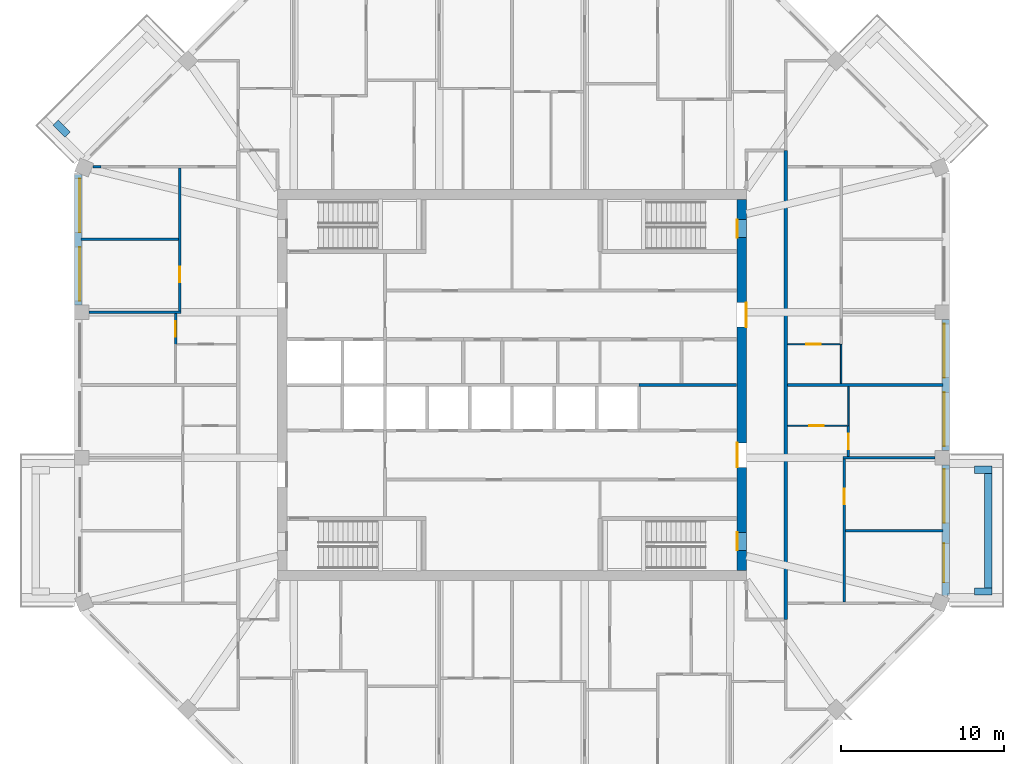
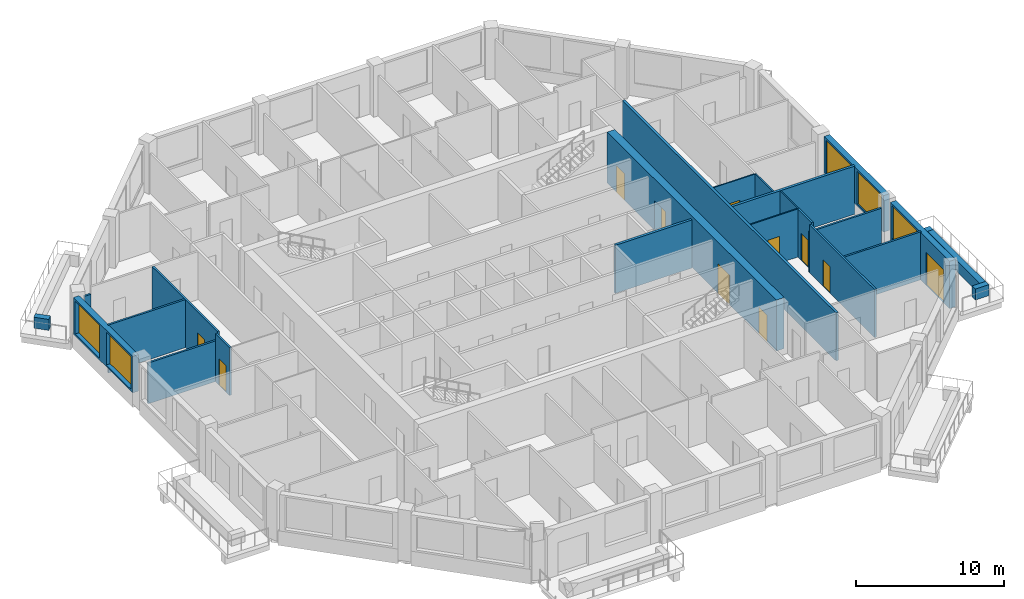
# One storey, part 6 of 11: 24 walls, 11 doors, 5 windows, 16 openings.
"""IFC4 building model written with IfcOpenShell, lengths in metres."""

from ifc_helpers import new_model, si_unit, direction, frame, frame_2d, origin, place, context, subcontext, project, spatial, rectangle, extrude, material, layer, layer_set, type_object, element, fill, save


model = new_model("IFC4")

# Units and contexts
model_context = context("Model", 3, precision=1e-05, world=origin(), true_north=direction((0.0, 1.0)))
body_context = subcontext(model_context, "Body", "Model", "MODEL_VIEW")
ifc_project = project(units=[si_unit("LENGTHUNIT", "METRE"), si_unit("AREAUNIT", "SQUARE_METRE"), si_unit("VOLUMEUNIT", "CUBIC_METRE"), si_unit("PLANEANGLEUNIT", "RADIAN"), si_unit("MASSUNIT", "GRAM", prefix="KILO")], contexts=[model_context])

# Site, building, storey
site_placement = place(None, origin())
site = spatial("IfcSite", under=ifc_project, at=site_placement, CompositionType="ELEMENT")
building_placement = place(site_placement, origin())
building = spatial("IfcBuilding", under=site, at=building_placement, Name="Msitu Wima Residences", CompositionType="ELEMENT")
storey_placement = place(building_placement, frame((0.0, 0.0, 230.699951171875)))
storey = spatial("IfcBuildingStorey", under=building, at=storey_placement, Name="L53", CompositionType="ELEMENT", Elevation=230.699951171875)

# Walls
ifc_material_1 = material(Name="Facing brick")
ifc_layer_1 = layer(ifc_material_1, 0.06494140625, Name="Facing brick")
ifc_material_2 = material(Name="Concrete C40/50", Category="concrete")
ifc_layer_2 = layer(ifc_material_2, 0.156005859375, Name="Concrete C40/50")
ifc_material_3 = material(Name="Waterproofing membrane")
ifc_layer_3 = layer(ifc_material_3, 0.00390625, Name="Waterproofing membrane")
ifc_material_4 = material(Name="Planting soil and planting")
ifc_layer_4 = layer(ifc_material_4, 0.22509765625, Name="Planting soil and planting")
ifc_layer_set_1 = layer_set([ifc_layer_1, ifc_layer_2, ifc_layer_3, ifc_layer_4], Name="Concrete C40/50")
wall_type_1 = type_object("IfcWallType", Name="Balcony planter PLANTER PL450", PredefinedType="USERDEFINED", material=ifc_layer_set_1)
wall_1_placement = place(storey_placement, frame((29.22509765625, -12.455810546875, 0.0), z_axis=(0.0, 0.0, 1.0), x_axis=(0.0, 1.0, 0.0)))
element("IfcWall", 1, at=wall_1_placement, inside=storey, type_object=wall_type_1, Name="Balcony planter E0 L53", ObjectType="PLANTER", PredefinedType="USERDEFINED", context=body_context, shape_type="SweptSolid", body=[
    extrude(rectangle(XDim=7.037109375, YDim=0.449951171875, at=frame_2d((3.5185546875, 0.0))), origin(), (0.0, 0.0, 1.0), 0.900146484375),
])
for number, where, z_axis, x_axis, name in (
    (2, (28.39990234375, -12.680908203125, 0.0), (0.0, 0.0, 1.0), (1.0, 0.0, 0.0), "Balcony planter E0 L53"),
    (3, (28.39990234375, -5.193603515625, 0.0), (0.0, 0.0, 1.0), (1.0, 0.0, 0.0), "Balcony planter E0 L53"),
    (4, (-27.26611328125, 15.3681640625, 0.0), (0.0, 0.0, 1.0), (-0.707223014731, 0.706990528533, 0.0), "Balcony planter NW1 L53"),
):
    element("IfcWall", number, at=place(storey_placement, frame(where, z_axis=z_axis, x_axis=x_axis)), inside=storey, type_object=wall_type_1, Name=name, ObjectType="PLANTER", PredefinedType="USERDEFINED", context=body_context, shape_type="SweptSolid", body=[
        extrude(rectangle(XDim=1.050048828125, YDim=0.449951171875, at=frame_2d((0.52490234375, 0.0))), origin(), (0.0, 0.0, 1.0), 0.900146484375),
    ])

# Wall, openings, door, window
ifc_material_5 = material(Name="Brick (red buff mix)", Category="masonry")
ifc_layer_5 = layer(ifc_material_5, 0.449951171875)
ifc_layer_set_2 = layer_set([ifc_layer_5], Name="Brick (red buff mix)")
wall_type_2 = type_object("IfcWallType", Name="Brick infill wall BW450", PredefinedType="SOLIDWALL", material=ifc_layer_set_2)
wall_2_placement = place(storey_placement, frame((26.625, -12.918701171875, 0.0), z_axis=(0.0, 0.0, 1.0), x_axis=(0.0, 1.0, 0.0)))
wall_2 = element("IfcWall", 5, at=wall_2_placement, inside=storey, type_object=wall_type_2, Name="Brick infill wall L53 E0", PredefinedType="SOLIDWALL", context=body_context, shape_type="SweptSolid", body=[
    extrude(rectangle(XDim=8.0, YDim=0.449951171875, at=frame_2d((4.0, 0.0))), origin(), (0.0, 0.0, 1.0), 3.900146484375),
])
opening_1_placement = place(wall_2_placement, frame((0.800048828125, 0.0, 0.0)))
opening_1 = element("IfcOpeningElement", 6, at=opening_1_placement, cuts=wall_2, Name="Opening D52-54.001", PredefinedType="OPENING", context=body_context, shape_type="SweptSolid", body=[
    extrude(rectangle(XDim=2.39990234375, YDim=2.699951171875, at=frame_2d((1.199951171875, 1.35009765625))), frame((0.0, 0.23486328125, 0.0), z_axis=(0.0, -1.0, 0.0), x_axis=(1.0, 0.0, 0.0)), (0.0, 0.0, 1.0), 0.469970703125),
])
opening_2_placement = place(wall_2_placement, frame((4.4501953125, 0.0, 1.050048828125)))
opening_2 = element("IfcOpeningElement", 7, at=opening_2_placement, cuts=wall_2, Name="Opening W52-54.001", PredefinedType="OPENING", context=body_context, shape_type="SweptSolid", body=[
    extrude(rectangle(XDim=3.300048828125, YDim=2.699951171875, at=frame_2d((1.64990234375, 1.35009765625))), frame((0.0, 0.23486328125, 0.0), z_axis=(0.0, -1.0, 0.0), x_axis=(1.0, 0.0, 0.0)), (0.0, 0.0, 1.0), 0.469970703125),
])
ifc_material_6 = material(Name="Anodised aluminium, bronze finish, clear low-emissivity double glazing", Category="aluminium")
door_type_1 = type_object("IfcDoorType", Name="Balcony door D2400x2700", OperationType="SLIDING_TO_LEFT", PredefinedType="DOOR", material=ifc_material_6)
door_1_placement = place(opening_1_placement, origin())
door_1 = element("IfcDoor", 8, at=door_1_placement, inside=storey, type_object=door_type_1, Name="Balcony door L53 E0", OperationType="SINGLE_SWING_LEFT", OverallHeight=2.699951171875, OverallWidth=2.39990234375, PredefinedType="DOOR", context=body_context, shape_type="SweptSolid", body=[
    extrude(rectangle(XDim=2.39990234375, YDim=2.699951171875, at=frame_2d((1.199951171875, 1.35009765625))), frame((0.0, 0.1298828125, 0.0), z_axis=(0.0, -1.0, 0.0), x_axis=(1.0, 0.0, 0.0)), (0.0, 0.0, 1.0), 0.050048828125),
])
fill(opening_1, door_1)
window_type = type_object("IfcWindowType", Name="Window W3300x2700", PartitioningType="DOUBLE_PANEL_VERTICAL", PredefinedType="WINDOW", material=ifc_material_6)
window_1_placement = place(opening_2_placement, origin())
window_1 = element("IfcWindow", 9, at=window_1_placement, inside=storey, type_object=window_type, Name="Window L53 E0.2", OverallHeight=2.699951171875, OverallWidth=3.300048828125, PartitioningType="SINGLE_PANEL", PredefinedType="WINDOW", context=body_context, shape_type="SweptSolid", body=[
    extrude(rectangle(XDim=3.300048828125, YDim=2.699951171875, at=frame_2d((1.64990234375, 1.35009765625))), frame((0.0, 0.135009765625, 0.0), z_axis=(0.0, -1.0, 0.0), x_axis=(1.0, 0.0, 0.0)), (0.0, 0.0, 1.0), 0.06005859375),
])
fill(opening_2, window_1)

# Wall, openings, windows
wall_3_placement = place(storey_placement, frame((26.625, -4.0185546875, 0.900146484375), z_axis=(0.0, 0.0, 1.0), x_axis=(0.0, 1.0, 0.0)))
wall_3 = element("IfcWall", 10, at=wall_3_placement, inside=storey, type_object=wall_type_2, Name="Brick infill wall L53 E1", PredefinedType="SOLIDWALL", context=body_context, shape_type="SweptSolid", body=[
    extrude(rectangle(XDim=8.037109375, YDim=0.449951171875, at=frame_2d((4.0185546875, 0.0))), origin(), (0.0, 0.0, 1.0), 3.0),
])
opening_3_placement = place(wall_3_placement, frame((0.2685546875, 0.0, 0.14990234375)))
opening_3 = element("IfcOpeningElement", 11, at=opening_3_placement, cuts=wall_3, Name="Opening W52-54.002", PredefinedType="OPENING", context=body_context, shape_type="SweptSolid", body=[
    extrude(rectangle(XDim=3.300048828125, YDim=2.699951171875, at=frame_2d((1.64990234375, 1.35009765625))), frame((0.0, 0.23486328125, 0.0), z_axis=(0.0, -1.0, 0.0), x_axis=(1.0, 0.0, 0.0)), (0.0, 0.0, 1.0), 0.469970703125),
])
opening_4_placement = place(wall_3_placement, frame((4.46875, 0.0, 0.14990234375)))
opening_4 = element("IfcOpeningElement", 12, at=opening_4_placement, cuts=wall_3, Name="Opening W52-54.003", PredefinedType="OPENING", context=body_context, shape_type="SweptSolid", body=[
    extrude(rectangle(XDim=3.300048828125, YDim=2.699951171875, at=frame_2d((1.64990234375, 1.35009765625))), frame((0.0, 0.23486328125, 0.0), z_axis=(0.0, -1.0, 0.0), x_axis=(1.0, 0.0, 0.0)), (0.0, 0.0, 1.0), 0.469970703125),
])
window_2_placement = place(opening_3_placement, origin())
window_2 = element("IfcWindow", 13, at=window_2_placement, inside=storey, type_object=window_type, Name="Window L53 E1.1", OverallHeight=2.699951171875, OverallWidth=3.300048828125, PartitioningType="SINGLE_PANEL", PredefinedType="WINDOW", context=body_context, shape_type="SweptSolid", body=[
    extrude(rectangle(XDim=3.300048828125, YDim=2.699951171875, at=frame_2d((1.64990234375, 1.35009765625))), frame((0.0, 0.135009765625, 0.0), z_axis=(0.0, -1.0, 0.0), x_axis=(1.0, 0.0, 0.0)), (0.0, 0.0, 1.0), 0.06005859375),
])
fill(opening_3, window_2)
window_3_placement = place(opening_4_placement, origin())
window_3 = element("IfcWindow", 14, at=window_3_placement, inside=storey, type_object=window_type, Name="Window L53 E1.2", OverallHeight=2.699951171875, OverallWidth=3.300048828125, PartitioningType="SINGLE_PANEL", PredefinedType="WINDOW", context=body_context, shape_type="SweptSolid", body=[
    extrude(rectangle(XDim=3.300048828125, YDim=2.699951171875, at=frame_2d((1.64990234375, 1.35009765625))), frame((0.0, 0.135009765625, 0.0), z_axis=(0.0, -1.0, 0.0), x_axis=(1.0, 0.0, 0.0)), (0.0, 0.0, 1.0), 0.06005859375),
])
fill(opening_4, window_3)

wall_4_placement = place(storey_placement, frame((-26.625, 12.918701171875, 0.900146484375), z_axis=(0.0, 0.0, 1.0), x_axis=(0.0, -1.0, 0.0)))
wall_4 = element("IfcWall", 15, at=wall_4_placement, inside=storey, type_object=wall_type_2, Name="Brick infill wall L53 W0", PredefinedType="SOLIDWALL", context=body_context, shape_type="SweptSolid", body=[
    extrude(rectangle(XDim=8.0, YDim=0.449951171875, at=frame_2d((4.0, 0.0))), origin(), (0.0, 0.0, 1.0), 3.0),
])
opening_5_placement = place(wall_4_placement, frame((0.25, 0.0, 0.14990234375)))
opening_5 = element("IfcOpeningElement", 16, at=opening_5_placement, cuts=wall_4, Name="Opening W52-54.029", PredefinedType="OPENING", context=body_context, shape_type="SweptSolid", body=[
    extrude(rectangle(XDim=3.300048828125, YDim=2.699951171875, at=frame_2d((1.64990234375, 1.35009765625))), frame((0.0, 0.23486328125, 0.0), z_axis=(0.0, -1.0, 0.0), x_axis=(1.0, 0.0, 0.0)), (0.0, 0.0, 1.0), 0.469970703125),
])
opening_6_placement = place(wall_4_placement, frame((4.4501953125, 0.0, 0.14990234375)))
opening_6 = element("IfcOpeningElement", 17, at=opening_6_placement, cuts=wall_4, Name="Opening W52-54.030", PredefinedType="OPENING", context=body_context, shape_type="SweptSolid", body=[
    extrude(rectangle(XDim=3.300048828125, YDim=2.699951171875, at=frame_2d((1.64990234375, 1.35009765625))), frame((0.0, 0.23486328125, 0.0), z_axis=(0.0, -1.0, 0.0), x_axis=(1.0, 0.0, 0.0)), (0.0, 0.0, 1.0), 0.469970703125),
])
window_4_placement = place(opening_5_placement, origin())
window_4 = element("IfcWindow", 18, at=window_4_placement, inside=storey, type_object=window_type, Name="Window L53 W0.1", OverallHeight=2.699951171875, OverallWidth=3.300048828125, PartitioningType="SINGLE_PANEL", PredefinedType="WINDOW", context=body_context, shape_type="SweptSolid", body=[
    extrude(rectangle(XDim=3.300048828125, YDim=2.699951171875, at=frame_2d((1.64990234375, 1.35009765625))), frame((0.0, 0.135009765625, 0.0), z_axis=(0.0, -1.0, 0.0), x_axis=(1.0, 0.0, 0.0)), (0.0, 0.0, 1.0), 0.06005859375),
])
fill(opening_5, window_4)
window_5_placement = place(opening_6_placement, origin())
window_5 = element("IfcWindow", 19, at=window_5_placement, inside=storey, type_object=window_type, Name="Window L53 W0.2", OverallHeight=2.699951171875, OverallWidth=3.300048828125, PartitioningType="SINGLE_PANEL", PredefinedType="WINDOW", context=body_context, shape_type="SweptSolid", body=[
    extrude(rectangle(XDim=3.300048828125, YDim=2.699951171875, at=frame_2d((1.64990234375, 1.35009765625))), frame((0.0, 0.135009765625, 0.0), z_axis=(0.0, -1.0, 0.0), x_axis=(1.0, 0.0, 0.0)), (0.0, 0.0, 1.0), 0.06005859375),
])
fill(opening_6, window_5)

# Wall, openings, doors
ifc_material_7 = material(Name="Concrete C50/60", Category="concrete")
ifc_layer_6 = layer(ifc_material_7, 0.60009765625)
ifc_layer_set_3 = layer_set([ifc_layer_6], Name="Concrete C50/60")
wall_type_3 = type_object("IfcWallType", Name="Core wall CW600 C50/60", PredefinedType="SHEAR", material=ifc_layer_set_3)
wall_5_placement = place(storey_placement, frame((14.10009765625, -11.39990234375, 0.0), z_axis=(0.0, 0.0, 1.0), x_axis=(0.0, 1.0, 0.0)))
wall_5 = element("IfcWall", 20, at=wall_5_placement, inside=storey, type_object=wall_type_3, Name="Core wall", PredefinedType="SHEAR", context=body_context, shape_type="SweptSolid", body=[
    extrude(rectangle(XDim=22.7998046875, YDim=0.60009765625, at=frame_2d((11.39990234375, 0.0))), origin(), (0.0, 0.0, 1.0), 4.199951171875),
])
opening_7_placement = place(wall_5_placement, frame((20.449951171875, 0.0, 0.0)))
opening_7 = element("IfcOpeningElement", 21, at=opening_7_placement, cuts=wall_5, Name="Opening D52-54.089", PredefinedType="OPENING", context=body_context, shape_type="SweptSolid", body=[
    extrude(rectangle(XDim=1.10009765625, YDim=2.199951171875, at=frame_2d((0.550048828125, 1.10009765625))), frame((0.0, 0.31005859375, 0.0), z_axis=(0.0, -1.0, 0.0), x_axis=(1.0, 0.0, 0.0)), (0.0, 0.0, 1.0), 0.6201171875),
])
opening_8_placement = place(wall_5_placement, frame((1.25, 0.0, 0.0)))
opening_8 = element("IfcOpeningElement", 22, at=opening_8_placement, cuts=wall_5, Name="Opening D52-54.090", PredefinedType="OPENING", context=body_context, shape_type="SweptSolid", body=[
    extrude(rectangle(XDim=1.10009765625, YDim=2.199951171875, at=frame_2d((0.550048828125, 1.10009765625))), frame((0.0, 0.31005859375, 0.0), z_axis=(0.0, -1.0, 0.0), x_axis=(1.0, 0.0, 0.0)), (0.0, 0.0, 1.0), 0.6201171875),
])
opening_9_placement = place(wall_5_placement, frame((14.949951171875, 0.0, 0.0)))
opening_9 = element("IfcOpeningElement", 23, at=opening_9_placement, cuts=wall_5, Name="Opening D52-54.076", PredefinedType="OPENING", context=body_context, shape_type="SweptSolid", body=[
    extrude(rectangle(XDim=1.5, YDim=2.39990234375, at=frame_2d((0.75, 1.199951171875))), frame((0.0, 0.31005859375, 0.0), z_axis=(0.0, -1.0, 0.0), x_axis=(1.0, 0.0, 0.0)), (0.0, 0.0, 1.0), 0.6201171875),
])
opening_10_placement = place(wall_5_placement, frame((6.35009765625, 0.0, 0.0)))
opening_10 = element("IfcOpeningElement", 24, at=opening_10_placement, cuts=wall_5, Name="Opening D52-54.077", PredefinedType="OPENING", context=body_context, shape_type="SweptSolid", body=[
    extrude(rectangle(XDim=1.5, YDim=2.39990234375, at=frame_2d((0.75, 1.199951171875))), frame((0.0, 0.31005859375, 0.0), z_axis=(0.0, -1.0, 0.0), x_axis=(1.0, 0.0, 0.0)), (0.0, 0.0, 1.0), 0.6201171875),
])
ifc_material_8 = material(Name="Steel framed glazed door, fire resisting", Category="steel")
door_type_2 = type_object("IfcDoorType", Name="Lobby door D07 1500x2400", OperationType="DOUBLE_DOOR_SINGLE_SWING", PredefinedType="DOOR", material=ifc_material_8)
door_2_placement = place(opening_9_placement, origin())
door_2 = element("IfcDoor", 25, at=door_2_placement, inside=storey, type_object=door_type_2, Name="Lobby door", OperationType="DOUBLE_DOOR_SINGLE_SWING", OverallHeight=2.39990234375, OverallWidth=1.5, PredefinedType="DOOR", context=body_context, shape_type="SweptSolid", body=[
    extrude(rectangle(XDim=1.5, YDim=2.39990234375, at=frame_2d((0.75, 1.199951171875))), frame((0.0, -0.2451171875, 0.0), z_axis=(0.0, -1.0, 0.0), x_axis=(1.0, 0.0, 0.0)), (0.0, 0.0, 1.0), 0.050048828125),
])
fill(opening_9, door_2)
door_3_placement = place(opening_10_placement, origin())
door_3 = element("IfcDoor", 26, at=door_3_placement, inside=storey, type_object=door_type_2, Name="Lobby door", OperationType="DOUBLE_DOOR_SINGLE_SWING", OverallHeight=2.39990234375, OverallWidth=1.5, PredefinedType="DOOR", context=body_context, shape_type="SweptSolid", body=[
    extrude(rectangle(XDim=1.5, YDim=2.39990234375, at=frame_2d((0.75, 1.199951171875))), frame((0.0, 0.294921875, 0.0), z_axis=(0.0, -1.0, 0.0), x_axis=(1.0, 0.0, 0.0)), (0.0, 0.0, 1.0), 0.050048828125),
])
fill(opening_10, door_3)
ifc_material_9 = material(Name="Steel door, fire resisting, panic bar", Category="steel")
door_type_3 = type_object("IfcDoorType", Name="Stair door D06 1100x2200", OperationType="SINGLE_SWING_LEFT", PredefinedType="DOOR", material=ifc_material_9)
door_4_placement = place(opening_7_placement, origin())
door_4 = element("IfcDoor", 27, at=door_4_placement, inside=storey, type_object=door_type_3, Name="Stair door", OperationType="SINGLE_SWING_LEFT", OverallHeight=2.199951171875, OverallWidth=1.10009765625, PredefinedType="DOOR", context=body_context, shape_type="SweptSolid", body=[
    extrude(rectangle(XDim=1.10009765625, YDim=2.199951171875, at=frame_2d((0.550048828125, 1.10009765625))), frame((0.0, 0.294921875, 0.0), z_axis=(0.0, -1.0, 0.0), x_axis=(1.0, 0.0, 0.0)), (0.0, 0.0, 1.0), 0.050048828125),
])
fill(opening_7, door_4)
door_5_placement = place(opening_8_placement, origin())
door_5 = element("IfcDoor", 28, at=door_5_placement, inside=storey, type_object=door_type_3, Name="Stair door", OperationType="SINGLE_SWING_RIGHT", OverallHeight=2.199951171875, OverallWidth=1.10009765625, PredefinedType="DOOR", context=body_context, shape_type="SweptSolid", body=[
    extrude(rectangle(XDim=1.10009765625, YDim=2.199951171875, at=frame_2d((0.550048828125, 1.10009765625))), frame((0.0, 0.294921875, 0.0), z_axis=(0.0, -1.0, 0.0), x_axis=(1.0, 0.0, 0.0)), (0.0, 0.0, 1.0), 0.050048828125),
])
fill(opening_8, door_5)

# Walls
ifc_material_10 = material(Name="Plaster")
ifc_layer_7 = layer(ifc_material_10, 0.011962890625, Name="Plaster")
ifc_material_11 = material(Name="Concrete blockwork", Category="masonry")
ifc_layer_8 = layer(ifc_material_11, 0.176025390625, Name="Concrete blockwork")
ifc_layer_9 = layer(ifc_material_10, 0.011962890625, Name="Plaster")
ifc_layer_set_4 = layer_set([ifc_layer_7, ifc_layer_8, ifc_layer_9], Name="Concrete blockwork")
wall_type_4 = type_object("IfcWallType", Name="Corridor wall FW200", PredefinedType="PARTITIONING", material=ifc_layer_set_4)
wall_6_placement = place(storey_placement, frame((16.800048828125, -14.39990234375, 0.0), z_axis=(0.0, 0.0, 1.0), x_axis=(0.0, 1.0, 0.0)))
element("IfcWall", 29, at=wall_6_placement, inside=storey, type_object=wall_type_4, Name="Corridor wall", PredefinedType="PARTITIONING", context=body_context, shape_type="SweptSolid", body=[
    extrude(rectangle(XDim=28.7998046875, YDim=0.199951171875, at=frame_2d((14.39990234375, 0.0))), origin(), (0.0, 0.0, 1.0), 3.949951171875),
])
ifc_layer_10 = layer(ifc_material_10, 0.011962890625, Name="Plaster")
ifc_layer_11 = layer(ifc_material_11, 0.1259765625, Name="Concrete blockwork")
ifc_layer_12 = layer(ifc_material_10, 0.011962890625, Name="Plaster")
ifc_layer_set_5 = layer_set([ifc_layer_10, ifc_layer_11, ifc_layer_12], Name="Concrete blockwork")
wall_type_5 = type_object("IfcWallType", Name="Partition PW150", PredefinedType="PARTITIONING", material=ifc_layer_set_5)
wall_7_placement = place(storey_placement, frame((-25.949951171875, 4.46875, 0.0), z_axis=(0.0, 0.0, 1.0), x_axis=(1.0, 0.0, 0.0)))
element("IfcWall", 30, at=wall_7_placement, inside=storey, type_object=wall_type_5, Name="Partition", PredefinedType="PARTITIONING", context=body_context, shape_type="SweptSolid", body=[
    extrude(rectangle(XDim=5.625, YDim=0.14990234375, at=frame_2d((2.8125, 0.0))), origin(), (0.0, 0.0, 1.0), 3.35009765625),
])
wall_8_placement = place(storey_placement, frame((-26.455078125, 8.937255859375, 0.0), z_axis=(0.0, 0.0, 1.0), x_axis=(1.0, 0.0, 0.0)))
element("IfcWall", 31, at=wall_8_placement, inside=storey, type_object=wall_type_5, Name="Partition", PredefinedType="PARTITIONING", context=body_context, shape_type="SweptSolid", body=[
    extrude(rectangle(XDim=5.97998046875, YDim=0.14990234375, at=frame_2d((2.989990234375, 0.0))), origin(), (0.0, 0.0, 1.0), 3.949951171875),
])
wall_9_placement = place(storey_placement, frame((-25.731201171875, 13.406005859375, 0.0), z_axis=(0.0, 0.0, 1.0), x_axis=(1.0, 0.0, 0.0)))
element("IfcWall", 32, at=wall_9_placement, inside=storey, type_object=wall_type_5, Name="Partition", PredefinedType="PARTITIONING", context=body_context, shape_type="SweptSolid", body=[
    extrude(rectangle(XDim=0.507080078125, YDim=0.14990234375, at=frame_2d((0.25341796875, 0.0))), origin(), (0.0, 0.0, 1.0), 3.35009765625),
])

# Wall, opening, door
wall_10_placement = place(storey_placement, frame((-20.64990234375, 2.5, 0.0), z_axis=(0.0, 0.0, 1.0), x_axis=(0.0, 1.0, 0.0)))
wall_10 = element("IfcWall", 33, at=wall_10_placement, inside=storey, type_object=wall_type_5, Name="Partition", PredefinedType="PARTITIONING", context=body_context, shape_type="SweptSolid", body=[
    extrude(rectangle(XDim=1.8935546875, YDim=0.14990234375, at=frame_2d((0.94677734375, 0.0))), origin(), (0.0, 0.0, 1.0), 3.949951171875),
])
opening_11_placement = place(wall_10_placement, frame((0.449951171875, 0.0, 0.0)))
opening_11 = element("IfcOpeningElement", 34, at=opening_11_placement, cuts=wall_10, Name="Opening D52-54.035", PredefinedType="OPENING", context=body_context, shape_type="SweptSolid", body=[
    extrude(rectangle(XDim=0.949951171875, YDim=2.199951171875, at=frame_2d((0.47509765625, 1.10009765625))), frame((0.0, 0.0849609375, 0.0), z_axis=(0.0, -1.0, 0.0), x_axis=(1.0, 0.0, 0.0)), (0.0, 0.0, 1.0), 0.169921875),
])
ifc_material_12 = material(Name="Timber flush door", Category="wood")
door_type_4 = type_object("IfcDoorType", Name="Room door D12 950x2200", OperationType="SINGLE_SWING_LEFT", PredefinedType="DOOR", material=ifc_material_12)
door_6_placement = place(opening_11_placement, origin())
door_6 = element("IfcDoor", 35, at=door_6_placement, inside=storey, type_object=door_type_4, Name="Room door", OperationType="SINGLE_SWING_RIGHT", OverallHeight=2.199951171875, OverallWidth=0.949951171875, PredefinedType="DOOR", context=body_context, shape_type="SweptSolid", body=[
    extrude(rectangle(XDim=0.949951171875, YDim=2.199951171875, at=frame_2d((0.47509765625, 1.10009765625))), frame((0.0, 0.02490234375, 0.0), z_axis=(0.0, -1.0, 0.0), x_axis=(1.0, 0.0, 0.0)), (0.0, 0.0, 1.0), 0.050048828125),
])
fill(opening_11, door_6)

wall_11_placement = place(storey_placement, frame((-20.39990234375, 4.543701171875, 0.0), z_axis=(0.0, 0.0, 1.0), x_axis=(0.0, 1.0, 0.0)))
wall_11 = element("IfcWall", 36, at=wall_11_placement, inside=storey, type_object=wall_type_5, Name="Partition", PredefinedType="PARTITIONING", context=body_context, shape_type="SweptSolid", body=[
    extrude(rectangle(XDim=8.787109375, YDim=0.14990234375, at=frame_2d((4.3935546875, 0.0))), origin(), (0.0, 0.0, 1.0), 3.949951171875),
])
opening_12_placement = place(wall_11_placement, frame((1.75, 0.0, 0.0)))
opening_12 = element("IfcOpeningElement", 37, at=opening_12_placement, cuts=wall_11, Name="Opening D52-54.036", PredefinedType="OPENING", context=body_context, shape_type="SweptSolid", body=[
    extrude(rectangle(XDim=0.949951171875, YDim=2.199951171875, at=frame_2d((0.47509765625, 1.10009765625))), frame((0.0, 0.0849609375, 0.0), z_axis=(0.0, -1.0, 0.0), x_axis=(1.0, 0.0, 0.0)), (0.0, 0.0, 1.0), 0.169921875),
])
door_7_placement = place(opening_12_placement, origin())
door_7 = element("IfcDoor", 38, at=door_7_placement, inside=storey, type_object=door_type_4, Name="Room door", OperationType="SINGLE_SWING_RIGHT", OverallHeight=2.199951171875, OverallWidth=0.949951171875, PredefinedType="DOOR", context=body_context, shape_type="SweptSolid", body=[
    extrude(rectangle(XDim=0.949951171875, YDim=2.199951171875, at=frame_2d((0.47509765625, 1.10009765625))), frame((0.0, 0.02490234375, 0.0), z_axis=(0.0, -1.0, 0.0), x_axis=(1.0, 0.0, 0.0)), (0.0, 0.0, 1.0), 0.050048828125),
])
fill(opening_12, door_7)

wall_12_placement = place(storey_placement, frame((20.39990234375, -13.330810546875, 0.0), z_axis=(0.0, 0.0, 1.0), x_axis=(0.0, 1.0, 0.0)))
wall_12 = element("IfcWall", 39, at=wall_12_placement, inside=storey, type_object=wall_type_5, Name="Partition", PredefinedType="PARTITIONING", context=body_context, shape_type="SweptSolid", body=[
    extrude(rectangle(XDim=8.787109375, YDim=0.14990234375, at=frame_2d((4.3935546875, 0.0))), origin(), (0.0, 0.0, 1.0), 3.949951171875),
])
opening_13_placement = place(wall_12_placement, frame((6.0, 0.0, 0.0)))
opening_13 = element("IfcOpeningElement", 40, at=opening_13_placement, cuts=wall_12, Name="Opening D52-54.065", PredefinedType="OPENING", context=body_context, shape_type="SweptSolid", body=[
    extrude(rectangle(XDim=0.949951171875, YDim=2.199951171875, at=frame_2d((0.47509765625, 1.10009765625))), frame((0.0, 0.0849609375, 0.0), z_axis=(0.0, -1.0, 0.0), x_axis=(1.0, 0.0, 0.0)), (0.0, 0.0, 1.0), 0.169921875),
])
door_8_placement = place(opening_13_placement, origin())
door_8 = element("IfcDoor", 41, at=door_8_placement, inside=storey, type_object=door_type_4, Name="Room door", OperationType="SINGLE_SWING_RIGHT", OverallHeight=2.199951171875, OverallWidth=0.949951171875, PredefinedType="DOOR", context=body_context, shape_type="SweptSolid", body=[
    extrude(rectangle(XDim=0.949951171875, YDim=2.199951171875, at=frame_2d((0.47509765625, 1.10009765625))), frame((0.0, 0.02490234375, 0.0), z_axis=(0.0, -1.0, 0.0), x_axis=(1.0, 0.0, 0.0)), (0.0, 0.0, 1.0), 0.050048828125),
])
fill(opening_13, door_8)

# Walls
wall_13_placement = place(storey_placement, frame((20.47509765625, -8.937255859375, 0.0), z_axis=(0.0, 0.0, 1.0), x_axis=(1.0, 0.0, 0.0)))
element("IfcWall", 42, at=wall_13_placement, inside=storey, type_object=wall_type_5, Name="Partition", PredefinedType="PARTITIONING", context=body_context, shape_type="SweptSolid", body=[
    extrude(rectangle(XDim=5.97998046875, YDim=0.14990234375, at=frame_2d((2.989990234375, 0.0))), origin(), (0.0, 0.0, 1.0), 3.949951171875),
])
wall_14_placement = place(storey_placement, frame((20.324951171875, -4.46875, 0.0), z_axis=(0.0, 0.0, 1.0), x_axis=(1.0, 0.0, 0.0)))
element("IfcWall", 43, at=wall_14_placement, inside=storey, type_object=wall_type_5, Name="Partition", PredefinedType="PARTITIONING", context=body_context, shape_type="SweptSolid", body=[
    extrude(rectangle(XDim=5.625, YDim=0.14990234375, at=frame_2d((2.8125, 0.0))), origin(), (0.0, 0.0, 1.0), 3.35009765625),
])

# Wall, opening, door
wall_15_placement = place(storey_placement, frame((20.64990234375, -4.3935546875, 0.0), z_axis=(0.0, 0.0, 1.0), x_axis=(0.0, 1.0, 0.0)))
wall_15 = element("IfcWall", 44, at=wall_15_placement, inside=storey, type_object=wall_type_5, Name="Partition", PredefinedType="PARTITIONING", context=body_context, shape_type="SweptSolid", body=[
    extrude(rectangle(XDim=1.8935546875, YDim=0.14990234375, at=frame_2d((0.94677734375, 0.0))), origin(), (0.0, 0.0, 1.0), 3.949951171875),
])
opening_14_placement = place(wall_15_placement, frame((0.449951171875, 0.0, 0.0)))
opening_14 = element("IfcOpeningElement", 45, at=opening_14_placement, cuts=wall_15, Name="Opening D52-54.064", PredefinedType="OPENING", context=body_context, shape_type="SweptSolid", body=[
    extrude(rectangle(XDim=0.949951171875, YDim=2.199951171875, at=frame_2d((0.47509765625, 1.10009765625))), frame((0.0, 0.0849609375, 0.0), z_axis=(0.0, -1.0, 0.0), x_axis=(1.0, 0.0, 0.0)), (0.0, 0.0, 1.0), 0.169921875),
])
door_9_placement = place(opening_14_placement, origin())
door_9 = element("IfcDoor", 46, at=door_9_placement, inside=storey, type_object=door_type_4, Name="Room door", OperationType="SINGLE_SWING_RIGHT", OverallHeight=2.199951171875, OverallWidth=0.949951171875, PredefinedType="DOOR", context=body_context, shape_type="SweptSolid", body=[
    extrude(rectangle(XDim=0.949951171875, YDim=2.199951171875, at=frame_2d((0.47509765625, 1.10009765625))), frame((0.0, 0.02490234375, 0.0), z_axis=(0.0, -1.0, 0.0), x_axis=(1.0, 0.0, 0.0)), (0.0, 0.0, 1.0), 0.050048828125),
])
fill(opening_14, door_9)

# Walls
ifc_layer_13 = layer(ifc_material_10, 0.011962890625, Name="Plaster")
ifc_material_13 = material(Name="Dense concrete blockwork", Category="masonry")
ifc_layer_14 = layer(ifc_material_13, 0.176025390625, Name="Dense concrete blockwork")
ifc_layer_15 = layer(ifc_material_10, 0.011962890625, Name="Plaster")
ifc_layer_set_6 = layer_set([ifc_layer_13, ifc_layer_14, ifc_layer_15], Name="Dense concrete blockwork")
wall_type_6 = type_object("IfcWallType", Name="Party wall PW200", PredefinedType="PARTITIONING", material=ifc_layer_set_6)
wall_16_placement = place(storey_placement, frame((16.89990234375, 0.0, 0.0), z_axis=(0.0, 0.0, 1.0), x_axis=(1.0, 0.0, 0.0)))
element("IfcWall", 47, at=wall_16_placement, inside=storey, type_object=wall_type_6, Name="Party wall", PredefinedType="PARTITIONING", context=body_context, shape_type="SweptSolid", body=[
    extrude(rectangle(XDim=9.55517578125, YDim=0.199951171875, at=frame_2d((4.777587890625, 0.0))), origin(), (0.0, 0.0, 1.0), 3.949951171875),
])
ifc_layer_16 = layer(ifc_material_10, 0.011962890625, Name="Plaster")
ifc_material_14 = material(Name="Reinforced concrete blockwork", Category="masonry")
ifc_layer_17 = layer(ifc_material_14, 0.176025390625, Name="Reinforced concrete blockwork")
ifc_layer_18 = layer(ifc_material_10, 0.011962890625, Name="Plaster")
ifc_layer_set_7 = layer_set([ifc_layer_16, ifc_layer_17, ifc_layer_18], Name="Reinforced concrete blockwork")
wall_type_7 = type_object("IfcWallType", Name="Plant and riser wall PL200", PredefinedType="PARTITIONING", material=ifc_layer_set_7)
wall_17_placement = place(storey_placement, frame((7.800048828125, 0.0, 0.0), z_axis=(0.0, 0.0, 1.0), x_axis=(1.0, 0.0, 0.0)))
element("IfcWall", 48, at=wall_17_placement, inside=storey, type_object=wall_type_7, Name="Plant and riser wall", PredefinedType="PARTITIONING", context=body_context, shape_type="SweptSolid", body=[
    extrude(rectangle(XDim=5.969970703125, YDim=0.199951171875, at=frame_2d((2.98486328125, 0.0))), origin(), (0.0, 0.0, 1.0), 3.949951171875),
])

# Wall, opening, door
ifc_material_15 = material(Name="Ceramic tiles")
ifc_layer_19 = layer(ifc_material_15, 0.008056640625, Name="Ceramic tiles")
ifc_material_16 = material(Name="Moisture-resistant board")
ifc_layer_20 = layer(ifc_material_16, 0.012451171875, Name="Moisture-resistant board")
ifc_material_17 = material(Name="Light-gauge stud framing with mineral wool")
ifc_layer_21 = layer(ifc_material_17, 0.06689453125, Name="Light-gauge stud framing with mineral wool")
ifc_layer_22 = layer(ifc_material_16, 0.012451171875, Name="Moisture-resistant board")
ifc_layer_set_8 = layer_set([ifc_layer_19, ifc_layer_20, ifc_layer_21, ifc_layer_22], Name="Light-gauge stud framing with mineral wool")
wall_type_8 = type_object("IfcWallType", Name="Wet wall PW100", PredefinedType="PARTITIONING", material=ifc_layer_set_8)
wall_18_placement = place(storey_placement, frame((16.89990234375, -2.5, 0.0), z_axis=(0.0, 0.0, 1.0), x_axis=(1.0, 0.0, 0.0)))
wall_18 = element("IfcWall", 49, at=wall_18_placement, inside=storey, type_object=wall_type_8, Name="Wet wall", PredefinedType="PARTITIONING", context=body_context, shape_type="SweptSolid", body=[
    extrude(rectangle(XDim=3.675048828125, YDim=0.10009765625, at=frame_2d((1.83740234375, 0.0))), origin(), (0.0, 0.0, 1.0), 3.949951171875),
])
opening_15_placement = place(wall_18_placement, frame((1.35009765625, 0.0, 0.0)))
opening_15 = element("IfcOpeningElement", 50, at=opening_15_placement, cuts=wall_18, Name="Opening D52-54.055", PredefinedType="OPENING", context=body_context, shape_type="SweptSolid", body=[
    extrude(rectangle(XDim=0.89990234375, YDim=2.199951171875, at=frame_2d((0.449951171875, 1.10009765625))), frame((0.0, 0.06005859375, 0.0), z_axis=(0.0, -1.0, 0.0), x_axis=(1.0, 0.0, 0.0)), (0.0, 0.0, 1.0), 0.1201171875),
])
ifc_material_18 = material(Name="Timber flush door, moisture resistant", Category="wood")
door_type_5 = type_object("IfcDoorType", Name="Bathroom door D03 900x2200", OperationType="SINGLE_SWING_LEFT", PredefinedType="DOOR", material=ifc_material_18)
door_10_placement = place(opening_15_placement, origin())
door_10 = element("IfcDoor", 51, at=door_10_placement, inside=storey, type_object=door_type_5, Name="Bathroom door", OperationType="SINGLE_SWING_LEFT", OverallHeight=2.199951171875, OverallWidth=0.89990234375, PredefinedType="DOOR", context=body_context, shape_type="SweptSolid", body=[
    extrude(rectangle(XDim=0.89990234375, YDim=2.199951171875, at=frame_2d((0.449951171875, 1.10009765625))), frame((0.0, 0.02490234375, 0.0), z_axis=(0.0, -1.0, 0.0), x_axis=(1.0, 0.0, 0.0)), (0.0, 0.0, 1.0), 0.050048828125),
])
fill(opening_15, door_10)

wall_19_placement = place(storey_placement, frame((16.89990234375, 2.5, 0.0), z_axis=(0.0, 0.0, 1.0), x_axis=(1.0, 0.0, 0.0)))
wall_19 = element("IfcWall", 52, at=wall_19_placement, inside=storey, type_object=wall_type_8, Name="Wet wall", PredefinedType="PARTITIONING", context=body_context, shape_type="SweptSolid", body=[
    extrude(rectangle(XDim=3.22509765625, YDim=0.10009765625, at=frame_2d((1.612548828125, 0.0))), origin(), (0.0, 0.0, 1.0), 3.949951171875),
])
opening_16_placement = place(wall_19_placement, frame((1.14990234375, 0.0, 0.0)))
opening_16 = element("IfcOpeningElement", 53, at=opening_16_placement, cuts=wall_19, Name="Opening D52-54.011", PredefinedType="OPENING", context=body_context, shape_type="SweptSolid", body=[
    extrude(rectangle(XDim=0.89990234375, YDim=2.199951171875, at=frame_2d((0.449951171875, 1.10009765625))), frame((0.0, 0.06005859375, 0.0), z_axis=(0.0, -1.0, 0.0), x_axis=(1.0, 0.0, 0.0)), (0.0, 0.0, 1.0), 0.1201171875),
])
door_11_placement = place(opening_16_placement, origin())
door_11 = element("IfcDoor", 54, at=door_11_placement, inside=storey, type_object=door_type_5, Name="Bathroom door", OperationType="SINGLE_SWING_RIGHT", OverallHeight=2.199951171875, OverallWidth=0.89990234375, PredefinedType="DOOR", context=body_context, shape_type="SweptSolid", body=[
    extrude(rectangle(XDim=0.89990234375, YDim=2.199951171875, at=frame_2d((0.449951171875, 1.10009765625))), frame((0.0, 0.02490234375, 0.0), z_axis=(0.0, -1.0, 0.0), x_axis=(1.0, 0.0, 0.0)), (0.0, 0.0, 1.0), 0.050048828125),
])
fill(opening_16, door_11)

# Walls
for number, where, z_axis, x_axis, name in (
    (55, (20.199951171875, 0.10009765625, 0.0), (0.0, 0.0, 1.0), (0.0, 1.0, 0.0), "Wet wall"),
    (56, (20.64990234375, -2.5, 0.0), (0.0, 0.0, 1.0), (0.0, 1.0, 0.0), "Wet wall"),
):
    element("IfcWall", number, at=place(storey_placement, frame(where, z_axis=z_axis, x_axis=x_axis)), inside=storey, type_object=wall_type_8, Name=name, PredefinedType="PARTITIONING", context=body_context, shape_type="SweptSolid", body=[
        extrude(rectangle(XDim=2.39990234375, YDim=0.10009765625, at=frame_2d((1.199951171875, 0.0))), origin(), (0.0, 0.0, 1.0), 3.949951171875),
    ])

save(model, "model.ifc")
